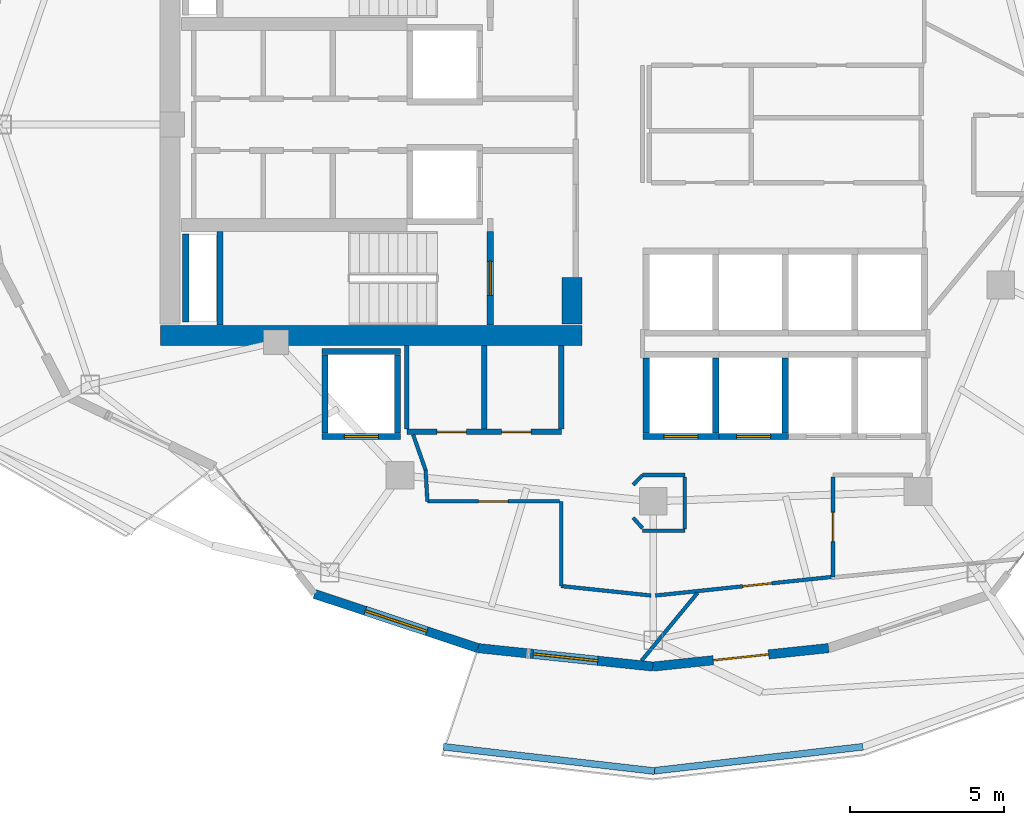
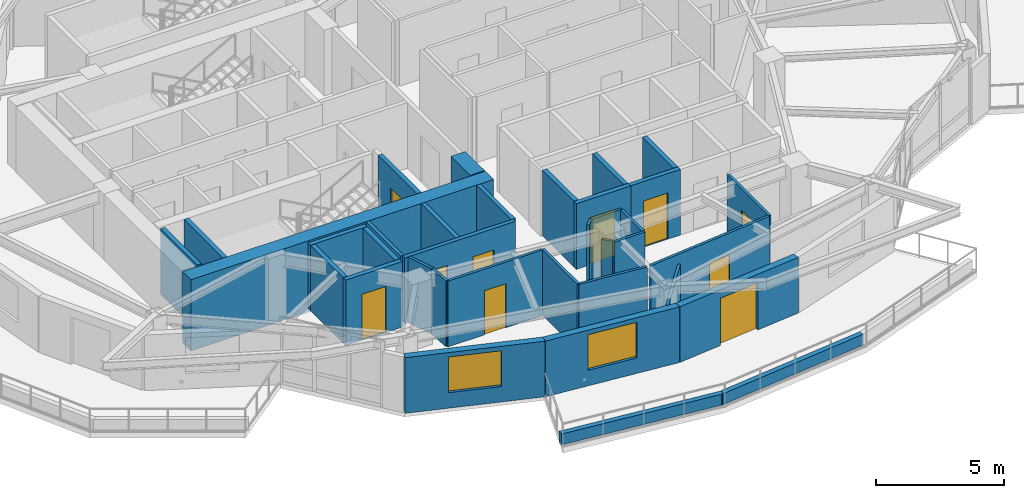
# One storey, part 8 of 18: 36 walls, 10 doors, 2 windows, 12 openings.
"""IFC4 building model written with IfcOpenShell, lengths in metres."""

from ifc_helpers import new_model, si_unit, direction, frame, frame_2d, origin, place, context, subcontext, project, spatial, rectangle, extrude, material, layer, layer_set, type_object, element, fill, save


model = new_model("IFC4")

# Units and contexts
model_context = context("Model", 3, precision=1e-05, world=origin(), true_north=direction((0.0, 1.0)))
body_context = subcontext(model_context, "Body", "Model", "MODEL_VIEW")
ifc_project = project(units=[si_unit("LENGTHUNIT", "METRE"), si_unit("AREAUNIT", "SQUARE_METRE"), si_unit("VOLUMEUNIT", "CUBIC_METRE"), si_unit("PLANEANGLEUNIT", "RADIAN"), si_unit("MASSUNIT", "GRAM", prefix="KILO")], contexts=[model_context])

# Site, building, storey
site_placement = place(None, origin())
site = spatial("IfcSite", under=ifc_project, at=site_placement, CompositionType="ELEMENT")
building_placement = place(site_placement, origin())
building = spatial("IfcBuilding", under=site, at=building_placement, Name="Kolvaren Gate Tower and Convention Centre", CompositionType="ELEMENT")
storey_placement = place(building_placement, frame((0.0, 0.0, 176.699951171875)))
storey = spatial("IfcBuildingStorey", under=building, at=storey_placement, Name="L46", CompositionType="ELEMENT", Elevation=176.699951171875)

# Wall, openings, doors
ifc_material_1 = material(Name="Autoclaved Aerated Masonry Blockwork Class 4 (4.0 MPa)", Category="masonry")
ifc_layer_1 = layer(ifc_material_1, 0.179931640625)
ifc_layer_set_1 = layer_set([ifc_layer_1], Name="Autoclaved Aerated Masonry Blockwork Class 4 (4.0 MPa)")
wall_type_1 = type_object("IfcWallType", Name="ARCH-WL-COMP-180", PredefinedType="SOLIDWALL", material=ifc_layer_set_1)
wall_1_placement = place(storey_placement, frame((22.14990234375, 17.050048828125, 0.0), z_axis=(0.0, 0.0, 1.0), x_axis=(1.0, 0.0, 0.0)))
wall_1 = element("IfcWall", 1, at=wall_1_placement, inside=storey, type_object=wall_type_1, Name="Interior Partition WL-L46-INT-011", PredefinedType="SOLIDWALL", context=body_context, shape_type="SweptSolid", body=[
    extrude(rectangle(XDim=5.0, YDim=0.179931640625, at=frame_2d((2.5, 0.0))), origin(), (0.0, 0.0, 1.0), 3.130126953125),
])
opening_1_placement = place(wall_1_placement, frame((0.97998046875, 0.0, 0.0)))
opening_1 = element("IfcOpeningElement", 2, at=opening_1_placement, cuts=wall_1, Name="Opening DR-01", PredefinedType="OPENING", context=body_context, shape_type="SweptSolid", body=[
    extrude(rectangle(XDim=0.949951171875, YDim=2.10009765625, at=frame_2d((0.47509765625, 1.050048828125))), frame((0.0, 0.099853515625, 0.0), z_axis=(0.0, -1.0, 0.0), x_axis=(1.0, 0.0, 0.0)), (0.0, 0.0, 1.0), 0.199951171875),
])
opening_2_placement = place(wall_1_placement, frame((3.070068359375, 0.0, 0.0)))
opening_2 = element("IfcOpeningElement", 3, at=opening_2_placement, cuts=wall_1, Name="Opening DR-01", PredefinedType="OPENING", context=body_context, shape_type="SweptSolid", body=[
    extrude(rectangle(XDim=0.949951171875, YDim=2.10009765625, at=frame_2d((0.47509765625, 1.050048828125))), frame((0.0, 0.099853515625, 0.0), z_axis=(0.0, -1.0, 0.0), x_axis=(1.0, 0.0, 0.0)), (0.0, 0.0, 1.0), 0.199951171875),
])
ifc_material_2 = material(Name="Painted Architectural Steelwork ASTM A500 Grade C 345 MPa", Category="steel")
door_type_1 = type_object("IfcDoorType", Name="ARCH-DR-RISER-950", OperationType="SINGLE_SWING_RIGHT", PredefinedType="DOOR", material=ifc_material_2)
door_1_placement = place(opening_1_placement, origin())
door_1 = element("IfcDoor", 4, at=door_1_placement, inside=storey, type_object=door_type_1, Name="West Valet Store Door", OperationType="SINGLE_SWING_RIGHT", OverallHeight=2.10009765625, OverallWidth=0.949951171875, PredefinedType="DOOR", context=body_context, shape_type="SweptSolid", body=[
    extrude(rectangle(XDim=0.949951171875, YDim=2.10009765625, at=frame_2d((0.47509765625, 1.050048828125))), frame((0.0, 0.02490234375, 0.0), z_axis=(0.0, -1.0, 0.0), x_axis=(1.0, 0.0, 0.0)), (0.0, 0.0, 1.0), 0.050048828125),
])
fill(opening_1, door_1)
door_2_placement = place(opening_2_placement, origin())
door_2 = element("IfcDoor", 5, at=door_2_placement, inside=storey, type_object=door_type_1, Name="Metering Switch Room Door", OperationType="SINGLE_SWING_LEFT", OverallHeight=2.10009765625, OverallWidth=0.949951171875, PredefinedType="DOOR", context=body_context, shape_type="SweptSolid", body=[
    extrude(rectangle(XDim=0.949951171875, YDim=2.10009765625, at=frame_2d((0.47509765625, 1.050048828125))), frame((0.0, 0.02490234375, 0.0), z_axis=(0.0, -1.0, 0.0), x_axis=(1.0, 0.0, 0.0)), (0.0, 0.0, 1.0), 0.050048828125),
])
fill(opening_2, door_2)

# Walls
for number, where, z_axis, x_axis, name in (
    (6, (24.64990234375, 17.14208984375, 0.0), (0.0, 0.0, 1.0), (0.0, 1.0, 0.0), "Interior Partition WL-L46-INT-013"),
    (7, (27.14990234375, 17.14208984375, 0.0), (0.0, 0.0, 1.0), (0.0, 1.0, 0.0), "Interior Partition WL-L46-INT-015"),
):
    element("IfcWall", number, at=place(storey_placement, frame(where, z_axis=z_axis, x_axis=x_axis)), inside=storey, type_object=wall_type_1, Name=name, PredefinedType="SOLIDWALL", context=body_context, shape_type="SweptSolid", body=[
        extrude(rectangle(XDim=2.705810546875, YDim=0.179931640625, at=frame_2d((1.35302734375, 0.0))), origin(), (0.0, 0.0, 1.0), 3.130126953125),
    ])
ifc_material_3 = material(Name="Fire-Rated Acoustic Gypsum Stud Partition", Category="gypsum")
ifc_layer_2 = layer(ifc_material_3, 0.1201171875)
ifc_layer_set_2 = layer_set([ifc_layer_2], Name="Fire-Rated Acoustic Gypsum Stud Partition")
wall_type_2 = type_object("IfcWallType", Name="ARCH-WL-PART-120", PredefinedType="PARTITIONING", material=ifc_layer_set_2)
wall_2_placement = place(storey_placement, frame((27.14990234375, 12.055908203125, 0.0), z_axis=(0.0, 0.0, 1.0), x_axis=(0.0, 1.0, 0.0)))
element("IfcWall", 8, at=wall_2_placement, inside=storey, type_object=wall_type_2, Name="Interior Partition WL-L46-INT-014", PredefinedType="PARTITIONING", context=body_context, shape_type="SweptSolid", body=[
    extrude(rectangle(XDim=2.744140625, YDim=0.1201171875, at=frame_2d((1.3720703125, 0.0))), origin(), (0.0, 0.0, 1.0), 3.130126953125),
])
wall_3_placement = place(storey_placement, frame((29.780029296875, 15.64990234375, 0.0), z_axis=(0.0, 0.0, 1.0), x_axis=(1.0, 0.0, 0.0)))
element("IfcWall", 9, at=wall_3_placement, inside=storey, type_object=wall_type_2, Name="Interior Partition WL-L46-INT-029", PredefinedType="PARTITIONING", context=body_context, shape_type="SweptSolid", body=[
    extrude(rectangle(XDim=1.369873046875, YDim=0.1201171875, at=frame_2d((0.68505859375, 0.0))), origin(), (0.0, 0.0, 1.0), 3.130126953125),
])

# Wall, opening, door
wall_4_placement = place(storey_placement, frame((35.949951171875, 12.345947265625, 0.0), z_axis=(0.0, 0.0, 1.0), x_axis=(0.0, 1.0, 0.0)))
wall_4 = element("IfcWall", 10, at=wall_4_placement, inside=storey, type_object=wall_type_2, Name="Interior Partition WL-L46-INT-031", PredefinedType="PARTITIONING", context=body_context, shape_type="SweptSolid", body=[
    extrude(rectangle(XDim=3.241943359375, YDim=0.1201171875, at=frame_2d((1.62109375, 0.0))), origin(), (0.0, 0.0, 1.0), 3.130126953125),
])
opening_3_placement = place(wall_4_placement, frame((1.14599609375, 0.0, 0.0)))
opening_3 = element("IfcOpeningElement", 11, at=opening_3_placement, cuts=wall_4, Name="Opening DR-01", PredefinedType="OPENING", context=body_context, shape_type="SweptSolid", body=[
    extrude(rectangle(XDim=0.949951171875, YDim=2.10009765625, at=frame_2d((0.47509765625, 1.050048828125))), frame((0.0, 0.070068359375, 0.0), z_axis=(0.0, -1.0, 0.0), x_axis=(1.0, 0.0, 0.0)), (0.0, 0.0, 1.0), 0.14013671875),
])
door_3_placement = place(opening_3_placement, origin())
door_3 = element("IfcDoor", 12, at=door_3_placement, inside=storey, type_object=door_type_1, Name="Hotel Executive Business Office Door", OperationType="SINGLE_SWING_LEFT", OverallHeight=2.10009765625, OverallWidth=0.949951171875, PredefinedType="DOOR", context=body_context, shape_type="SweptSolid", body=[
    extrude(rectangle(XDim=0.949951171875, YDim=2.10009765625, at=frame_2d((0.47509765625, 1.050048828125))), frame((0.0, 0.02490234375, 0.0), z_axis=(0.0, -1.0, 0.0), x_axis=(1.0, 0.0, 0.0)), (0.0, 0.0, 1.0), 0.050048828125),
])
fill(opening_3, door_3)

wall_5_placement = place(storey_placement, frame((30.195068359375, 11.75, 0.0), z_axis=(0.0, 0.0, 1.0), x_axis=(0.994498907508, 0.104746947287, 0.0)))
wall_5 = element("IfcWall", 13, at=wall_5_placement, inside=storey, type_object=wall_type_2, Name="Interior Partition WL-L46-INT-032", PredefinedType="PARTITIONING", context=body_context, shape_type="SweptSolid", body=[
    extrude(rectangle(XDim=5.724365234375, YDim=0.1201171875, at=frame_2d((2.8623046875, 0.0))), origin(), (0.0, 0.0, 1.0), 3.130126953125),
])
opening_4_placement = place(wall_5_placement, frame((2.843994140625, 0.0, 0.0)))
opening_4 = element("IfcOpeningElement", 14, at=opening_4_placement, cuts=wall_5, Name="Opening DR-01", PredefinedType="OPENING", context=body_context, shape_type="SweptSolid", body=[
    extrude(rectangle(XDim=0.949951171875, YDim=2.10009765625, at=frame_2d((0.47509765625, 1.050048828125))), frame((0.0, 0.070068359375, 0.0), z_axis=(0.0, -1.0, 0.0), x_axis=(1.0, 0.0, 0.0)), (0.0, 0.0, 1.0), 0.14013671875),
])
door_4_placement = place(opening_4_placement, origin())
door_4 = element("IfcDoor", 15, at=door_4_placement, inside=storey, type_object=door_type_1, Name="Hotel Executive Business Office Door", OperationType="SINGLE_SWING_RIGHT", OverallHeight=2.10009765625, OverallWidth=0.949951171875, PredefinedType="DOOR", context=body_context, shape_type="SweptSolid", body=[
    extrude(rectangle(XDim=0.949951171875, YDim=2.10009765625, at=frame_2d((0.47509765625, 1.050048828125))), frame((0.0, 0.02490234375, 0.0), z_axis=(0.0, -1.0, 0.0), x_axis=(1.0, 0.0, 0.0)), (0.0, 0.0, 1.0), 0.050048828125),
])
fill(opening_4, door_4)

# Wall
wall_6_placement = place(storey_placement, frame((27.14990234375, 12.055908203125, 0.0), z_axis=(0.0, 0.0, 1.0), x_axis=(0.994501330468, -0.104723940422, 0.0)))
element("IfcWall", 16, at=wall_6_placement, inside=storey, type_object=wall_type_2, Name="Interior Partition WL-L46-INT-033", PredefinedType="PARTITIONING", context=body_context, shape_type="SweptSolid", body=[
    extrude(rectangle(XDim=2.921142578125, YDim=0.1201171875, at=frame_2d((1.46044921875, 0.0))), origin(), (0.0, 0.0, 1.0), 3.130126953125),
])

# Wall, opening, door
wall_7_placement = place(storey_placement, frame((22.81396484375, 14.800048828125, 0.0), z_axis=(0.0, 0.0, 1.0), x_axis=(1.0, 0.0, 0.0)))
wall_7 = element("IfcWall", 17, at=wall_7_placement, inside=storey, type_object=wall_type_2, Name="Interior Partition WL-L46-INT-034", PredefinedType="PARTITIONING", context=body_context, shape_type="SweptSolid", body=[
    extrude(rectangle(XDim=4.27392578125, YDim=0.1201171875, at=frame_2d((2.136962890625, 0.0))), origin(), (0.0, 0.0, 1.0), 3.130126953125),
])
opening_5_placement = place(wall_7_placement, frame((1.662109375, 0.0, 0.0)))
opening_5 = element("IfcOpeningElement", 18, at=opening_5_placement, cuts=wall_7, Name="Opening DR-01", PredefinedType="OPENING", context=body_context, shape_type="SweptSolid", body=[
    extrude(rectangle(XDim=0.949951171875, YDim=2.10009765625, at=frame_2d((0.47509765625, 1.050048828125))), frame((0.0, 0.070068359375, 0.0), z_axis=(0.0, -1.0, 0.0), x_axis=(1.0, 0.0, 0.0)), (0.0, 0.0, 1.0), 0.14013671875),
])
door_5_placement = place(opening_5_placement, origin())
door_5 = element("IfcDoor", 19, at=door_5_placement, inside=storey, type_object=door_type_1, Name="Luxury Retail Boutique Door", OperationType="SINGLE_SWING_LEFT", OverallHeight=2.10009765625, OverallWidth=0.949951171875, PredefinedType="DOOR", context=body_context, shape_type="SweptSolid", body=[
    extrude(rectangle(XDim=0.949951171875, YDim=2.10009765625, at=frame_2d((0.47509765625, 1.050048828125))), frame((0.0, 0.02490234375, 0.0), z_axis=(0.0, -1.0, 0.0), x_axis=(1.0, 0.0, 0.0)), (0.0, 0.0, 1.0), 0.050048828125),
])
fill(opening_5, door_5)

# Walls
wall_8_placement = place(storey_placement, frame((22.756103515625, 15.81103515625, 0.0), z_axis=(0.0, 0.0, 1.0), x_axis=(0.057139047697, -0.998366230012, 0.0)))
element("IfcWall", 20, at=wall_8_placement, inside=storey, type_object=wall_type_2, Name="Interior Partition WL-L46-INT-035", PredefinedType="PARTITIONING", context=body_context, shape_type="SweptSolid", body=[
    extrude(rectangle(XDim=1.0126953125, YDim=0.1201171875, at=frame_2d((0.50634765625, 0.0))), origin(), (0.0, 0.0, 1.0), 3.130126953125),
])
wall_9_placement = place(storey_placement, frame((22.353271484375, 16.9580078125, 0.0), z_axis=(0.0, 0.0, 1.0), x_axis=(0.331370038458, -0.943500873138, 0.0)))
element("IfcWall", 21, at=wall_9_placement, inside=storey, type_object=wall_type_2, Name="Interior Partition WL-L46-INT-036", PredefinedType="PARTITIONING", context=body_context, shape_type="SweptSolid", body=[
    extrude(rectangle(XDim=1.215576171875, YDim=0.1201171875, at=frame_2d((0.60791015625, 0.0))), origin(), (0.0, 0.0, 1.0), 3.130126953125),
])
wall_10_placement = place(storey_placement, frame((29.47607421875, 15.3330078125, 0.0), z_axis=(0.0, 0.0, 1.0), x_axis=(0.692219273951, 0.721687243043, 0.0)))
element("IfcWall", 22, at=wall_10_placement, inside=storey, type_object=wall_type_2, Name="Interior Partition WL-L46-INT-050", PredefinedType="PARTITIONING", context=body_context, shape_type="SweptSolid", body=[
    extrude(rectangle(XDim=0.439208984375, YDim=0.1201171875, at=frame_2d((0.2197265625, 0.0))), origin(), (0.0, 0.0, 1.0), 3.130126953125),
])
wall_11_placement = place(storey_placement, frame((29.47607421875, 14.26708984375, 0.0), z_axis=(0.0, 0.0, 1.0), x_axis=(0.670659392016, -0.741765448037, 0.0)))
element("IfcWall", 23, at=wall_11_placement, inside=storey, type_object=wall_type_2, Name="Interior Partition WL-L46-INT-051", PredefinedType="PARTITIONING", context=body_context, shape_type="SweptSolid", body=[
    extrude(rectangle(XDim=0.453125, YDim=0.1201171875, at=frame_2d((0.2265625, 0.0))), origin(), (0.0, 0.0, 1.0), 3.130126953125),
])
wall_12_placement = place(storey_placement, frame((29.780029296875, 13.85009765625, 0.0), z_axis=(0.0, 0.0, 1.0), x_axis=(1.0, 0.0, 0.0)))
element("IfcWall", 24, at=wall_12_placement, inside=storey, type_object=wall_type_2, Name="Interior Partition WL-L46-INT-052", PredefinedType="PARTITIONING", context=body_context, shape_type="SweptSolid", body=[
    extrude(rectangle(XDim=1.369873046875, YDim=0.1201171875, at=frame_2d((0.68505859375, 0.0))), origin(), (0.0, 0.0, 1.0), 3.130126953125),
])
wall_13_placement = place(storey_placement, frame((31.14990234375, 13.912109375, 0.0), z_axis=(0.0, 0.0, 1.0), x_axis=(0.0, 1.0, 0.0)))
element("IfcWall", 25, at=wall_13_placement, inside=storey, type_object=wall_type_2, Name="Interior Partition WL-L46-INT-053", PredefinedType="PARTITIONING", context=body_context, shape_type="SweptSolid", body=[
    extrude(rectangle(XDim=1.67578125, YDim=0.1201171875, at=frame_2d((0.837890625, 0.0))), origin(), (0.0, 0.0, 1.0), 3.130126953125),
])
wall_14_placement = place(storey_placement, frame((29.749755859375, 9.642333984375, 0.0), z_axis=(0.0, 0.0, 1.0), x_axis=(0.636683591353, 0.771125154888, 0.0)))
element("IfcWall", 26, at=wall_14_placement, inside=storey, type_object=wall_type_2, Name="Interior Partition WL-L46-INT-056", PredefinedType="PARTITIONING", context=body_context, shape_type="SweptSolid", body=[
    extrude(rectangle(XDim=2.83837890625, YDim=0.1201171875, at=frame_2d((1.419189453125, 0.0))), origin(), (0.0, 0.0, 1.0), 2.653076171875),
])
ifc_material_4 = material(Name="Piedmont Cream Honed Limestone Cladding", Category="masonry")
ifc_layer_3 = layer(ifc_material_4, 0.219970703125)
ifc_layer_set_3 = layer_set([ifc_layer_3], Name="Piedmont Cream Honed Limestone Cladding")
wall_type_3 = type_object("IfcWallType", Name="ARCH-WL-PLANTER-220", PredefinedType="PARAPET", material=ifc_layer_set_3)
for number, where, z_axis, x_axis, name in (
    (27, (23.330078125, 6.853759765625, 0.0), (0.0, 0.0, 1.0), (0.993440576506, -0.114349555972, 0.0), "Vertical-Forest Balcony Stone Planter Kerb PK-L46-3.1"),
    (28, (30.07958984375, 6.06640625, 0.0), (0.0, 0.0, 1.0), (0.993440576506, 0.114349555972, 0.0), "Vertical-Forest Balcony Stone Planter Kerb PK-L46-3.2"),
):
    element("IfcWall", number, at=place(storey_placement, frame(where, z_axis=z_axis, x_axis=x_axis)), inside=storey, type_object=wall_type_3, Name=name, PredefinedType="PARAPET", context=body_context, shape_type="SweptSolid", body=[
        extrude(rectangle(XDim=6.885498046875, YDim=0.219970703125, at=frame_2d((3.44287109375, 0.0))), origin(), (0.0, 0.0, 1.0), 0.52001953125),
    ])
ifc_layer_4 = layer(ifc_material_1, 0.199951171875)
ifc_layer_set_4 = layer_set([ifc_layer_4], Name="Autoclaved Aerated Masonry Blockwork Class 4 (4.0 MPa)")
wall_type_4 = type_object("IfcWallType", Name="ARCH-WL-SHAFT-200", PredefinedType="SOLIDWALL", material=ifc_layer_set_4)
wall_15_placement = place(storey_placement, frame((19.39990234375, 19.64990234375, 0.0), z_axis=(0.0, 0.0, 1.0), x_axis=(1.0, 0.0, 0.0)))
element("IfcWall", 29, at=wall_15_placement, inside=storey, type_object=wall_type_4, Name="Elevator SV-01 L46 Fire Shaft Wall N", PredefinedType="SOLIDWALL", context=body_context, shape_type="SweptSolid", body=[
    extrude(rectangle(XDim=2.550048828125, YDim=0.199951171875, at=frame_2d((1.27490234375, 0.0))), origin(), (0.0, 0.0, 1.0), 3.130126953125),
])

# Wall, opening, door
wall_16_placement = place(storey_placement, frame((19.39990234375, 16.89990234375, 0.0), z_axis=(0.0, 0.0, 1.0), x_axis=(1.0, 0.0, 0.0)))
wall_16 = element("IfcWall", 30, at=wall_16_placement, inside=storey, type_object=wall_type_4, Name="Elevator SV-01 L46 Fire Shaft Wall S", PredefinedType="SOLIDWALL", context=body_context, shape_type="SweptSolid", body=[
    extrude(rectangle(XDim=2.550048828125, YDim=0.199951171875, at=frame_2d((1.27490234375, 0.0))), origin(), (0.0, 0.0, 1.0), 3.130126953125),
])
opening_6_placement = place(wall_16_placement, frame((0.72509765625, 0.0, 0.0)))
opening_6 = element("IfcOpeningElement", 31, at=opening_6_placement, cuts=wall_16, Name="Opening LD", PredefinedType="OPENING", context=body_context, shape_type="SweptSolid", body=[
    extrude(rectangle(XDim=1.10009765625, YDim=2.199951171875, at=frame_2d((0.550048828125, 1.10009765625))), frame((0.0, 0.10986328125, 0.0), z_axis=(0.0, -1.0, 0.0), x_axis=(1.0, 0.0, 0.0)), (0.0, 0.0, 1.0), 0.219970703125),
])
ifc_material_5 = material(Name="Brushed Stainless Steel Grade 316L", Category="steel")
door_type_2 = type_object("IfcDoorType", Name="ARCH-DR-LIFT-1100", OperationType="SLIDING_TO_LEFT", PredefinedType="DOOR", material=ifc_material_5)
door_6_placement = place(opening_6_placement, origin())
door_6 = element("IfcDoor", 32, at=door_6_placement, inside=storey, type_object=door_type_2, Name="Elevator SV-01 L46 Sliding Landing Door", OperationType="SLIDING_TO_LEFT", OverallHeight=2.199951171875, OverallWidth=1.10009765625, PredefinedType="DOOR", context=body_context, shape_type="SweptSolid", body=[
    extrude(rectangle(XDim=1.10009765625, YDim=2.199951171875, at=frame_2d((0.550048828125, 1.10009765625))), frame((0.0, 0.02490234375, 0.0), z_axis=(0.0, -1.0, 0.0), x_axis=(1.0, 0.0, 0.0)), (0.0, 0.0, 1.0), 0.050048828125),
])
fill(opening_6, door_6)

# Walls
for number, where, z_axis, x_axis, name in (
    (33, (19.5, 17.010009765625, 0.0), (0.0, 0.0, 1.0), (0.0, 1.0, 0.0), "Elevator SV-01 L46 Fire Shaft Wall W"),
    (34, (21.85009765625, 17.010009765625, 0.0), (0.0, 0.0, 1.0), (0.0, 1.0, 0.0), "Elevator SV-01 L46 Fire Shaft Wall E"),
):
    element("IfcWall", number, at=place(storey_placement, frame(where, z_axis=z_axis, x_axis=x_axis)), inside=storey, type_object=wall_type_4, Name=name, PredefinedType="SOLIDWALL", context=body_context, shape_type="SweptSolid", body=[
        extrude(rectangle(XDim=2.530029296875, YDim=0.199951171875, at=frame_2d((1.26513671875, 0.0))), origin(), (0.0, 0.0, 1.0), 3.130126953125),
    ])

# Wall, opening, door
wall_17_placement = place(storey_placement, frame((29.800048828125, 16.89990234375, 0.0), z_axis=(0.0, 0.0, 1.0), x_axis=(1.0, 0.0, 0.0)))
wall_17 = element("IfcWall", 35, at=wall_17_placement, inside=storey, type_object=wall_type_4, Name="Elevator PL-05 L46 Fire Shaft Wall S", PredefinedType="SOLIDWALL", context=body_context, shape_type="SweptSolid", body=[
    extrude(rectangle(XDim=2.449951171875, YDim=0.199951171875, at=frame_2d((1.22509765625, 0.0))), origin(), (0.0, 0.0, 1.0), 3.130126953125),
])
opening_7_placement = place(wall_17_placement, frame((0.675048828125, 0.0, 0.0)))
opening_7 = element("IfcOpeningElement", 36, at=opening_7_placement, cuts=wall_17, Name="Opening LD", PredefinedType="OPENING", context=body_context, shape_type="SweptSolid", body=[
    extrude(rectangle(XDim=1.10009765625, YDim=2.199951171875, at=frame_2d((0.550048828125, 1.10009765625))), frame((0.0, 0.10986328125, 0.0), z_axis=(0.0, -1.0, 0.0), x_axis=(1.0, 0.0, 0.0)), (0.0, 0.0, 1.0), 0.219970703125),
])
door_7_placement = place(opening_7_placement, origin())
door_7 = element("IfcDoor", 37, at=door_7_placement, inside=storey, type_object=door_type_2, Name="Elevator PL-05 L46 Sliding Landing Door", OperationType="SLIDING_TO_LEFT", OverallHeight=2.199951171875, OverallWidth=1.10009765625, PredefinedType="DOOR", context=body_context, shape_type="SweptSolid", body=[
    extrude(rectangle(XDim=1.10009765625, YDim=2.199951171875, at=frame_2d((0.550048828125, 1.10009765625))), frame((0.0, 0.02490234375, 0.0), z_axis=(0.0, -1.0, 0.0), x_axis=(1.0, 0.0, 0.0)), (0.0, 0.0, 1.0), 0.050048828125),
])
fill(opening_7, door_7)

# Walls
for number, where, z_axis, x_axis, name in (
    (38, (29.89990234375, 17.010009765625, 0.0), (0.0, 0.0, 1.0), (0.0, 1.0, 0.0), "Elevator PL-05 L46 Fire Shaft Wall W"),
    (39, (32.14990234375, 17.010009765625, 0.0), (0.0, 0.0, 1.0), (0.0, 1.0, 0.0), "Elevator PL-05 L46 Fire Shaft Wall E"),
):
    element("IfcWall", number, at=place(storey_placement, frame(where, z_axis=z_axis, x_axis=x_axis)), inside=storey, type_object=wall_type_4, Name=name, PredefinedType="SOLIDWALL", context=body_context, shape_type="SweptSolid", body=[
        extrude(rectangle(XDim=2.429931640625, YDim=0.199951171875, at=frame_2d((1.21484375, 0.0))), origin(), (0.0, 0.0, 1.0), 3.130126953125),
    ])

# Wall, opening, door
wall_18_placement = place(storey_placement, frame((32.25, 16.89990234375, 0.0), z_axis=(0.0, 0.0, 1.0), x_axis=(1.0, 0.0, 0.0)))
wall_18 = element("IfcWall", 40, at=wall_18_placement, inside=storey, type_object=wall_type_4, Name="Elevator PL-06 L46 Fire Shaft Wall S", PredefinedType="SOLIDWALL", context=body_context, shape_type="SweptSolid", body=[
    extrude(rectangle(XDim=2.25, YDim=0.199951171875, at=frame_2d((1.125, 0.0))), origin(), (0.0, 0.0, 1.0), 3.130126953125),
])
opening_8_placement = place(wall_18_placement, frame((0.574951171875, 0.0, 0.0)))
opening_8 = element("IfcOpeningElement", 41, at=opening_8_placement, cuts=wall_18, Name="Opening LD", PredefinedType="OPENING", context=body_context, shape_type="SweptSolid", body=[
    extrude(rectangle(XDim=1.10009765625, YDim=2.199951171875, at=frame_2d((0.550048828125, 1.10009765625))), frame((0.0, 0.10986328125, 0.0), z_axis=(0.0, -1.0, 0.0), x_axis=(1.0, 0.0, 0.0)), (0.0, 0.0, 1.0), 0.219970703125),
])
door_8_placement = place(opening_8_placement, origin())
door_8 = element("IfcDoor", 42, at=door_8_placement, inside=storey, type_object=door_type_2, Name="Elevator PL-06 L46 Sliding Landing Door", OperationType="SLIDING_TO_LEFT", OverallHeight=2.199951171875, OverallWidth=1.10009765625, PredefinedType="DOOR", context=body_context, shape_type="SweptSolid", body=[
    extrude(rectangle(XDim=1.10009765625, YDim=2.199951171875, at=frame_2d((0.550048828125, 1.10009765625))), frame((0.0, 0.02490234375, 0.0), z_axis=(0.0, -1.0, 0.0), x_axis=(1.0, 0.0, 0.0)), (0.0, 0.0, 1.0), 0.050048828125),
])
fill(opening_8, door_8)

# Walls
wall_19_placement = place(storey_placement, frame((34.39990234375, 17.010009765625, 0.0), z_axis=(0.0, 0.0, 1.0), x_axis=(0.0, 1.0, 0.0)))
element("IfcWall", 43, at=wall_19_placement, inside=storey, type_object=wall_type_4, Name="Elevator PL-06 L46 Fire Shaft Wall E", PredefinedType="SOLIDWALL", context=body_context, shape_type="SweptSolid", body=[
    extrude(rectangle(XDim=2.429931640625, YDim=0.199951171875, at=frame_2d((1.21484375, 0.0))), origin(), (0.0, 0.0, 1.0), 3.130126953125),
])
wall_20_placement = place(storey_placement, frame((14.989990234375, 20.60009765625, 0.0), z_axis=(0.0, 0.0, 1.0), x_axis=(0.0, 1.0, 0.0)))
element("IfcWall", 44, at=wall_20_placement, inside=storey, type_object=wall_type_4, Name="Vertical Shaft MPR L46 EI-120 Enclosure Wall W", PredefinedType="SOLIDWALL", context=body_context, shape_type="SweptSolid", body=[
    extrude(rectangle(XDim=2.849853515625, YDim=0.199951171875, at=frame_2d((1.4248046875, 0.0))), origin(), (0.0, 0.0, 1.0), 3.130126953125),
])

# Wall, opening, window
ifc_layer_5 = layer(ifc_material_4, 0.300048828125)
ifc_layer_set_5 = layer_set([ifc_layer_5], Name="Piedmont Cream Honed Limestone Cladding")
wall_type_5 = type_object("IfcWallType", Name="ARCH-WL-STONE-300", PredefinedType="SOLIDWALL", material=ifc_layer_set_5)
wall_21_placement = place(storey_placement, frame((19.15625, 11.80126953125, 0.0), z_axis=(0.0, 0.0, 1.0), x_axis=(0.949246811547, -0.314532177636, 0.0)))
wall_21 = element("IfcWall", 45, at=wall_21_placement, inside=storey, type_object=wall_type_5, Name="Tower L46 Honed Stone Spandrel Wall EW-16", PredefinedType="SOLIDWALL", context=body_context, shape_type="SweptSolid", body=[
    extrude(rectangle(XDim=5.573974609375, YDim=0.300048828125, at=frame_2d((2.787109375, 0.0))), origin(), (0.0, 0.0, 1.0), 2.653076171875),
])
opening_9_placement = place(wall_21_placement, frame((1.737060546875, 0.0, 0.739990234375)))
opening_9 = element("IfcOpeningElement", 46, at=opening_9_placement, cuts=wall_21, Name="Opening W-02", PredefinedType="OPENING", context=body_context, shape_type="SweptSolid", body=[
    extrude(rectangle(XDim=2.10009765625, YDim=1.699951171875, at=frame_2d((1.050048828125, 0.85009765625))), frame((0.0, 0.159912109375, 0.0), z_axis=(0.0, -1.0, 0.0), x_axis=(1.0, 0.0, 0.0)), (0.0, 0.0, 1.0), 0.320068359375),
])
ifc_material_6 = material(Name="Low-E Triple Insulated Glazing Unit 44 mm", Category="glass")
window_type = type_object("IfcWindowType", Name="ARCH-WN-HTL-2100", PartitioningType="SINGLE_PANEL", PredefinedType="WINDOW", material=ifc_material_6)
window_1_placement = place(opening_9_placement, origin())
window_1 = element("IfcWindow", 47, at=window_1_placement, inside=storey, type_object=window_type, Name="Tower L46 Punched Stone Facade Window W-16", OverallHeight=1.699951171875, OverallWidth=2.10009765625, PartitioningType="SINGLE_PANEL", PredefinedType="WINDOW", context=body_context, shape_type="SweptSolid", body=[
    extrude(rectangle(XDim=2.10009765625, YDim=1.699951171875, at=frame_2d((1.050048828125, 0.85009765625))), frame((0.0, 0.030029296875, 0.0), z_axis=(0.0, -1.0, 0.0), x_axis=(1.0, 0.0, 0.0)), (0.0, 0.0, 1.0), 0.06005859375),
])
fill(opening_9, window_1)

wall_22_placement = place(storey_placement, frame((24.447265625, 10.048095703125, 0.0), z_axis=(0.0, 0.0, 1.0), x_axis=(0.994496545245, -0.104769372887, 0.0)))
wall_22 = element("IfcWall", 48, at=wall_22_placement, inside=storey, type_object=wall_type_5, Name="Tower L46 Honed Stone Spandrel Wall EW-17", PredefinedType="SOLIDWALL", context=body_context, shape_type="SweptSolid", body=[
    extrude(rectangle(XDim=5.709228515625, YDim=0.300048828125, at=frame_2d((2.8544921875, 0.0))), origin(), (0.0, 0.0, 1.0), 2.653076171875),
])
opening_10_placement = place(wall_22_placement, frame((1.804931640625, 0.0, 0.739990234375)))
opening_10 = element("IfcOpeningElement", 49, at=opening_10_placement, cuts=wall_22, Name="Opening W-02", PredefinedType="OPENING", context=body_context, shape_type="SweptSolid", body=[
    extrude(rectangle(XDim=2.10009765625, YDim=1.699951171875, at=frame_2d((1.050048828125, 0.85009765625))), frame((0.0, 0.159912109375, 0.0), z_axis=(0.0, -1.0, 0.0), x_axis=(1.0, 0.0, 0.0)), (0.0, 0.0, 1.0), 0.320068359375),
])
window_2_placement = place(opening_10_placement, origin())
window_2 = element("IfcWindow", 50, at=window_2_placement, inside=storey, type_object=window_type, Name="Tower L46 Punched Stone Facade Window W-17", OverallHeight=1.699951171875, OverallWidth=2.10009765625, PartitioningType="SINGLE_PANEL", PredefinedType="WINDOW", context=body_context, shape_type="SweptSolid", body=[
    extrude(rectangle(XDim=2.10009765625, YDim=1.699951171875, at=frame_2d((1.050048828125, 0.85009765625))), frame((0.0, 0.030029296875, 0.0), z_axis=(0.0, -1.0, 0.0), x_axis=(1.0, 0.0, 0.0)), (0.0, 0.0, 1.0), 0.06005859375),
])
fill(opening_10, window_2)

# Wall, opening, door
wall_23_placement = place(storey_placement, frame((30.125, 9.449951171875, 0.0), z_axis=(0.0, 0.0, 1.0), x_axis=(0.994496545245, 0.104769372887, 0.0)))
wall_23 = element("IfcWall", 51, at=wall_23_placement, inside=storey, type_object=wall_type_5, Name="Tower L46 Honed Stone Spandrel Wall EW-18", PredefinedType="SOLIDWALL", context=body_context, shape_type="SweptSolid", body=[
    extrude(rectangle(XDim=5.709228515625, YDim=0.300048828125, at=frame_2d((2.8544921875, 0.0))), origin(), (0.0, 0.0, 1.0), 2.653076171875),
])
opening_11_placement = place(wall_23_placement, frame((1.955078125, 0.0, 0.0)))
opening_11 = element("IfcOpeningElement", 52, at=opening_11_placement, cuts=wall_23, Name="Opening DB-01", PredefinedType="OPENING", context=body_context, shape_type="SweptSolid", body=[
    extrude(rectangle(XDim=1.800048828125, YDim=2.25, at=frame_2d((0.89990234375, 1.125))), frame((0.0, 0.159912109375, 0.0), z_axis=(0.0, -1.0, 0.0), x_axis=(1.0, 0.0, 0.0)), (0.0, 0.0, 1.0), 0.320068359375),
])
ifc_material_7 = material(Name="Anodized Architectural Aluminium Alloy 6063-T6", Category="aluminium")
door_type_3 = type_object("IfcDoorType", Name="ARCH-DR-BALC-1800", OperationType="SLIDING_TO_LEFT", PredefinedType="DOOR", material=ifc_material_7)
door_9_placement = place(opening_11_placement, frame((1.800048828125, 0.0, 0.0), z_axis=(0.0, 0.0, 1.0), x_axis=(-1.0, 0.0, 0.0)))
door_9 = element("IfcDoor", 53, at=door_9_placement, inside=storey, type_object=door_type_3, Name="Planted Sky Terrace Access Door DB-L46-18", OperationType="SLIDING_TO_LEFT", OverallHeight=2.25, OverallWidth=1.800048828125, PredefinedType="DOOR", context=body_context, shape_type="SweptSolid", body=[
    extrude(rectangle(XDim=1.800048828125, YDim=2.25, at=frame_2d((0.89990234375, 1.125))), frame((0.0, 0.02490234375, 0.0), z_axis=(0.0, -1.0, 0.0), x_axis=(1.0, 0.0, 0.0)), (0.0, 0.0, 1.0), 0.050048828125),
])
fill(opening_11, door_9)

# Walls
ifc_material_8 = material(Name="Moisture-Resistant Cement-Board Acoustic Partition", Category="gypsum")
ifc_layer_6 = layer(ifc_material_8, 0.14990234375)
ifc_layer_set_6 = layer_set([ifc_layer_6], Name="Moisture-Resistant Cement-Board Acoustic Partition")
wall_type_6 = type_object("IfcWallType", Name="ARCH-WL-WET-150", PredefinedType="PARTITIONING", material=ifc_layer_set_6)
wall_24_placement = place(storey_placement, frame((22.14990234375, 17.14208984375, 0.0), z_axis=(0.0, 0.0, 1.0), x_axis=(0.0, 1.0, 0.0)))
element("IfcWall", 54, at=wall_24_placement, inside=storey, type_object=wall_type_6, Name="Interior Partition WL-L46-INT-012", PredefinedType="PARTITIONING", context=body_context, shape_type="SweptSolid", body=[
    extrude(rectangle(XDim=2.705810546875, YDim=0.14990234375, at=frame_2d((1.35302734375, 0.0))), origin(), (0.0, 0.0, 1.0), 3.130126953125),
])
ifc_material_9 = material(Name="Concrete C60/75", Category="concrete")
ifc_layer_7 = layer(ifc_material_9, 0.64990234375)
ifc_layer_set_7 = layer_set([ifc_layer_7], Name="Concrete C60/75")
wall_type_7 = type_object("IfcWallType", Name="STR-WL-CORE-650", PredefinedType="SHEAR", material=ifc_layer_set_7)
wall_25_placement = place(storey_placement, frame((14.175048828125, 20.175048828125, -0.27001953125), z_axis=(0.0, 0.0, 1.0), x_axis=(1.0, 0.0, 0.0)))
element("IfcWall", 55, at=wall_25_placement, inside=storey, type_object=wall_type_7, Name="Tower L46 Offset Core Shear Wall S", PredefinedType="SHEAR", context=body_context, shape_type="SweptSolid", body=[
    extrude(rectangle(XDim=13.64990234375, YDim=0.64990234375, at=frame_2d((6.824951171875, 0.0))), origin(), (0.0, 0.0, 1.0), 3.400146484375),
])
wall_26_placement = place(storey_placement, frame((27.5, 20.550048828125, -0.27001953125), z_axis=(0.0, 0.0, 1.0), x_axis=(0.0, 1.0, 0.0)))
element("IfcWall", 56, at=wall_26_placement, inside=storey, type_object=wall_type_7, Name="Tower L46 Offset Core Shear Wall ES", PredefinedType="SHEAR", context=body_context, shape_type="SweptSolid", body=[
    extrude(rectangle(XDim=1.5, YDim=0.64990234375, at=frame_2d((0.75, 0.0))), origin(), (0.0, 0.0, 1.0), 3.400146484375),
])

# Wall, opening, door
ifc_material_10 = material(Name="Concrete C50/60", Category="concrete")
ifc_layer_8 = layer(ifc_material_10, 0.199951171875)
ifc_layer_set_8 = layer_set([ifc_layer_8], Name="Concrete C50/60")
wall_type_8 = type_object("IfcWallType", Name="STR-WL-SHAFT-200", PredefinedType="SHEAR", material=ifc_layer_set_8)
wall_27_placement = place(storey_placement, frame((24.85009765625, 20.501953125, -0.27001953125), z_axis=(0.0, 0.0, 1.0), x_axis=(0.0, 1.0, 0.0)))
wall_27 = element("IfcWall", 57, at=wall_27_placement, inside=storey, type_object=wall_type_8, Name="Tower South Exit Stair ST-T2 L46 Structural Shear Enclosure Wall NEAR", PredefinedType="SHEAR", context=body_context, shape_type="SweptSolid", body=[
    extrude(rectangle(XDim=3.0380859375, YDim=0.199951171875, at=frame_2d((1.51904296875, 0.0))), origin(), (0.0, 0.0, 1.0), 3.400146484375),
])
opening_12_placement = place(wall_27_placement, frame((0.968994140625, 0.0, 0.27001953125)))
opening_12 = element("IfcOpeningElement", 58, at=opening_12_placement, cuts=wall_27, Name="Opening DS-01", PredefinedType="OPENING", context=body_context, shape_type="SweptSolid", body=[
    extrude(rectangle(XDim=1.10009765625, YDim=2.14990234375, at=frame_2d((0.550048828125, 1.074951171875))), frame((0.0, 0.10986328125, 0.0), z_axis=(0.0, -1.0, 0.0), x_axis=(1.0, 0.0, 0.0)), (0.0, 0.0, 1.0), 0.219970703125),
])
door_type_4 = type_object("IfcDoorType", Name="ARCH-DR-STAIR-1100", OperationType="SINGLE_SWING_LEFT", PredefinedType="DOOR", material=ifc_material_2)
door_10_placement = place(opening_12_placement, origin())
door_10 = element("IfcDoor", 59, at=door_10_placement, inside=storey, type_object=door_type_4, Name="Tower South Exit Stair ST-T2 L46 Fire Exit Stair Door", OperationType="SINGLE_SWING_RIGHT", OverallHeight=2.14990234375, OverallWidth=1.10009765625, PredefinedType="DOOR", context=body_context, shape_type="SweptSolid", body=[
    extrude(rectangle(XDim=1.10009765625, YDim=2.14990234375, at=frame_2d((0.550048828125, 1.074951171875))), frame((0.0, 0.02490234375, 0.0), z_axis=(0.0, -1.0, 0.0), x_axis=(1.0, 0.0, 0.0)), (0.0, 0.0, 1.0), 0.050048828125),
])
fill(opening_12, door_10)

# Wall
wall_28_placement = place(storey_placement, frame((16.10009765625, 20.501953125, -0.27001953125), z_axis=(0.0, 0.0, 1.0), x_axis=(0.0, 1.0, 0.0)))
element("IfcWall", 60, at=wall_28_placement, inside=storey, type_object=wall_type_8, Name="Tower South Exit Stair ST-T2 L46 Structural Shear Enclosure Wall FAR", PredefinedType="SHEAR", context=body_context, shape_type="SweptSolid", body=[
    extrude(rectangle(XDim=3.0361328125, YDim=0.199951171875, at=frame_2d((1.51806640625, 0.0))), origin(), (0.0, 0.0, 1.0), 3.400146484375),
])

save(model, "model.ifc")
